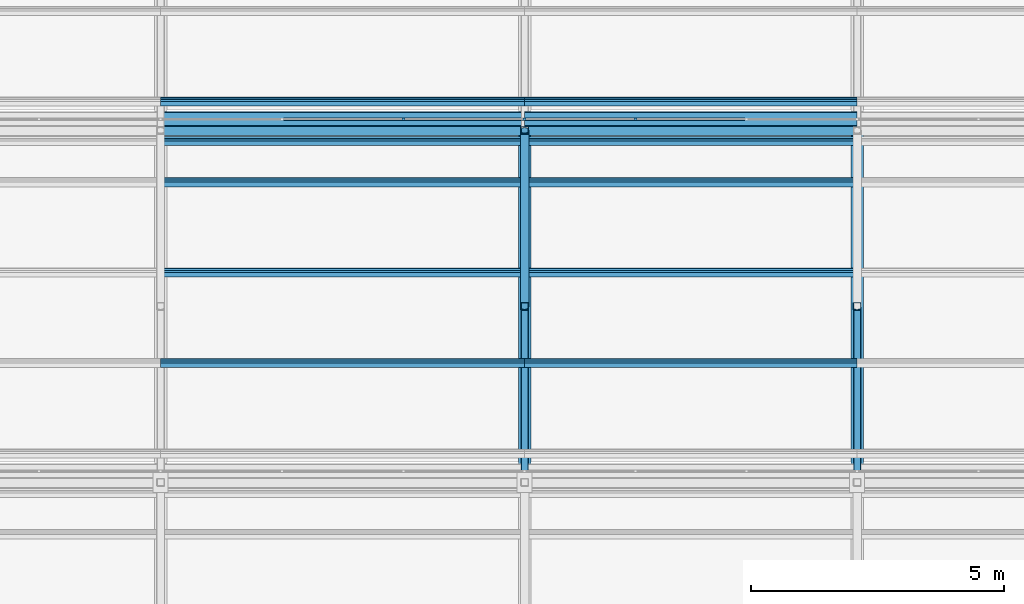
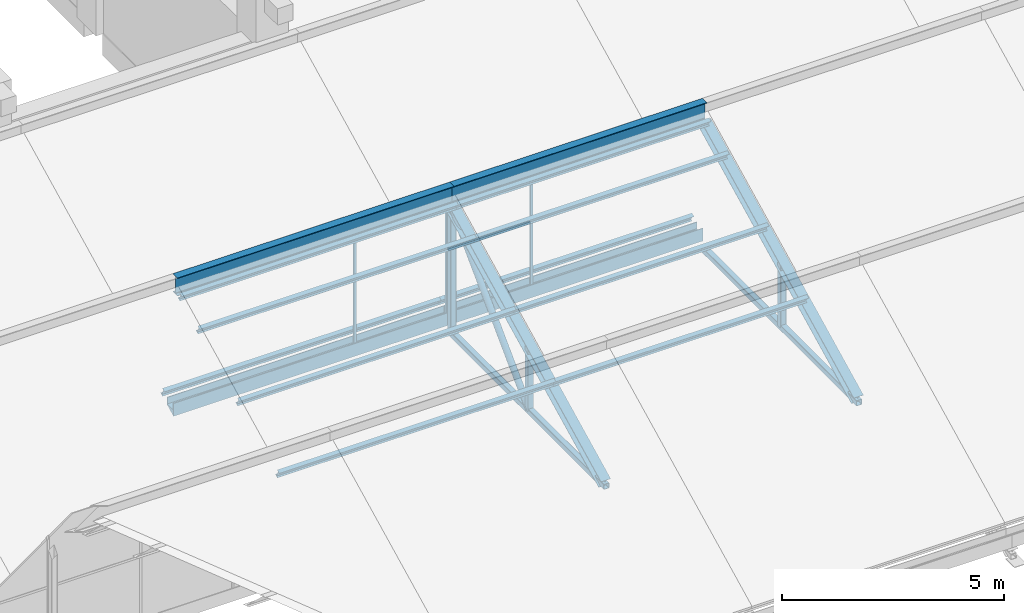
# One storey, part 13 of 83: 29 members, 2 elements without a shape of their own.
"""IFC4 building model written with IfcOpenShell, lengths in metres."""

from ifc_helpers import new_model, si_unit, direction, frame, origin, origin_2d, place, context, subcontext, project, spatial, polyline, rectangle, hollow_rectangle, hollow_circle, i_section, outline, extrude, material, material_profile, profile_set, type_object, element, aggregate, save


model = new_model("IFC4")

# Units and contexts
model_context = context("Model", 3, precision=1e-05, world=origin(), true_north=direction((0.0, 1.0)))
body_context = subcontext(model_context, "Body", "Model", "MODEL_VIEW")
ifc_project = project(units=[si_unit("LENGTHUNIT", "METRE"), si_unit("AREAUNIT", "SQUARE_METRE"), si_unit("VOLUMEUNIT", "CUBIC_METRE"), si_unit("PLANEANGLEUNIT", "RADIAN"), si_unit("MASSUNIT", "GRAM", prefix="KILO")], contexts=[model_context])

# Site, building, storey
site_placement = place(None, origin())
site = spatial("IfcSite", under=ifc_project, at=site_placement, CompositionType="ELEMENT")
building_placement = place(site_placement, origin())
building = spatial("IfcBuilding", under=site, at=building_placement, Name="Silangan Lancet Faculty of Sciences", CompositionType="ELEMENT")
storey_placement = place(building_placement, frame((0.0, 0.0, 11.39990234375)))
storey = spatial("IfcBuildingStorey", under=building, at=storey_placement, Name="L02", CompositionType="ELEMENT", Elevation=11.39990234375)

# Members
ifc_material_1 = material(Name="Steel SS400", Category="steel")
ifc_material_profile_1 = material_profile(ifc_material_1, i_section(OverallWidth=0.199951171875, OverallDepth=0.5, WebThickness=0.010009765625, FlangeThickness=0.01611328125, FilletRadius=0.02001953125, at=origin_2d()), Name="H 500x200x10x16")
ifc_profile_set_1 = profile_set([ifc_material_profile_1], Name="Steel SS400")
member_type_1 = type_object("IfcMemberType", Name="Exposed ridge beam H 500x200x10x16", PredefinedType="MEMBER", material=ifc_profile_set_1)
member_1_placement = place(storey_placement, frame((43.824951171875, 14.1533203125, 3.9326171875), z_axis=(1.0, 0.0, 0.0), x_axis=(0.0, 1.0, 0.0)))
element("IfcMember", 1, at=member_1_placement, inside=storey, type_object=member_type_1, Name="Exposed ridge beam SAB-2-3", PredefinedType="MEMBER", context=body_context, shape_type="SweptSolid", body=[
    extrude(i_section(OverallWidth=0.199951171875, OverallDepth=0.5, WebThickness=0.010009765625, FlangeThickness=0.01611328125, FilletRadius=0.02001953125, at=origin_2d()), origin(), (0.0, 0.0, 1.0), 7.199951171875),
])
member_2_placement = place(storey_placement, frame((51.02490234375, 14.1533203125, 3.9326171875), z_axis=(1.0, 0.0, 0.0), x_axis=(0.0, 1.0, 0.0)))
element("IfcMember", 2, at=member_2_placement, inside=storey, type_object=member_type_1, Name="Exposed ridge beam SAB-2-4", PredefinedType="MEMBER", context=body_context, shape_type="SweptSolid", body=[
    extrude(i_section(OverallWidth=0.199951171875, OverallDepth=0.5, WebThickness=0.010009765625, FlangeThickness=0.01611328125, FilletRadius=0.02001953125, at=origin_2d()), origin(), (0.0, 0.0, 1.0), 6.5751953125),
])

# Curtain wall, member
ifc_material_2 = material(Name="Aluminium and laminated glass", Category="aluminium")
curtain_wall_type = type_object("IfcCurtainWallType", Name="North light glazing system", PredefinedType="NOTDEFINED", material=ifc_material_2)
curtain_wall_1_placement = place(storey_placement, origin())
curtain_wall_1 = element("IfcCurtainWall", 3, at=curtain_wall_1_placement, inside=storey, type_object=curtain_wall_type, Name="North light glazing SAB-2-3", PredefinedType="NOTDEFINED")
ifc_material_3 = material(Name="Aluminium 6063-T6", Category="aluminium")
ifc_material_profile_2 = material_profile(ifc_material_3, rectangle(XDim=0.06005859375, YDim=0.050048828125, at=origin_2d()), Name="AL 60x50")
ifc_profile_set_2 = profile_set([ifc_material_profile_2], Name="Aluminium 6063-T6")
member_type_2 = type_object("IfcMemberType", Name="North light mullion 60x50", PredefinedType="MULLION", material=ifc_profile_set_2)
member_3_placement = place(storey_placement, frame((48.625, 14.37841796875, 0.4423828125), z_axis=(0.0, 0.0, 1.0), x_axis=(1.0, 0.0, 0.0)))
member_3 = element("IfcMember", 4, at=member_3_placement, type_object=member_type_2, Name="North light mullion SAB-2-3 3", PredefinedType="MULLION", context=body_context, shape_type="SweptSolid", body=[
    extrude(rectangle(XDim=0.06005859375, YDim=0.050048828125, at=origin_2d()), origin(), (0.0, 0.0, 1.0), 3.595947265625),
])

# Curtain wall, members
curtain_wall_2_placement = place(storey_placement, origin())
curtain_wall_2 = element("IfcCurtainWall", 5, at=curtain_wall_2_placement, inside=storey, type_object=curtain_wall_type, Name="North light glazing SAB-2-4", PredefinedType="NOTDEFINED")
member_4_placement = place(storey_placement, frame((51.02490234375, 14.37841796875, 0.4423828125), z_axis=(0.0, 0.0, 1.0), x_axis=(1.0, 0.0, 0.0)))
member_4 = element("IfcMember", 6, at=member_4_placement, type_object=member_type_2, Name="North light mullion SAB-2-4 1", PredefinedType="MULLION", context=body_context, shape_type="SweptSolid", body=[
    extrude(rectangle(XDim=0.06005859375, YDim=0.050048828125, at=origin_2d()), origin(), (0.0, 0.0, 1.0), 3.595947265625),
])
member_5_placement = place(storey_placement, frame((53.216796875, 14.37841796875, 0.4423828125), z_axis=(0.0, 0.0, 1.0), x_axis=(1.0, 0.0, 0.0)))
member_5 = element("IfcMember", 7, at=member_5_placement, type_object=member_type_2, Name="North light mullion SAB-2-4 2", PredefinedType="MULLION", context=body_context, shape_type="SweptSolid", body=[
    extrude(rectangle(XDim=0.06005859375, YDim=0.050048828125, at=origin_2d()), origin(), (0.0, 0.0, 1.0), 3.595947265625),
])

# Member
ifc_material_4 = material(Name="Aluminium 6063-T6", Category="aluminium")
ifc_material_profile_3 = material_profile(ifc_material_4, rectangle(XDim=0.050048828125, YDim=0.06005859375, at=origin_2d()), Name="AL 50x60")
ifc_profile_set_3 = profile_set([ifc_material_profile_3], Name="Aluminium 6063-T6")
member_type_3 = type_object("IfcMemberType", Name="North light transom 50x60", PredefinedType="USERDEFINED", material=ifc_profile_set_3)
member_6_placement = place(storey_placement, frame((46.2548828125, 14.37841796875, 2.240478515625), z_axis=(1.0, 0.0, 0.0), x_axis=(0.0, 1.0, 0.0)))
member_6 = element("IfcMember", 8, at=member_6_placement, type_object=member_type_3, Name="North light transom SAB-2-3 2", ObjectType="TRANSOM", PredefinedType="USERDEFINED", context=body_context, shape_type="SweptSolid", body=[
    extrude(rectangle(XDim=0.050048828125, YDim=0.06005859375, at=origin_2d()), origin(), (0.0, 0.0, 1.0), 2.340087890625),
])

member_7_placement = place(storey_placement, frame((48.655029296875, 14.37841796875, 2.240478515625), z_axis=(1.0, 0.0, 0.0), x_axis=(0.0, 1.0, 0.0)))
member_7 = element("IfcMember", 9, at=member_7_placement, type_object=member_type_3, Name="North light transom SAB-2-3 3", ObjectType="TRANSOM", PredefinedType="USERDEFINED", context=body_context, shape_type="SweptSolid", body=[
    extrude(rectangle(XDim=0.050048828125, YDim=0.06005859375, at=origin_2d()), origin(), (0.0, 0.0, 1.0), 2.340087890625),
])

aggregate(curtain_wall_1, [member_3, member_6, member_7])

member_8_placement = place(storey_placement, frame((51.054931640625, 14.37841796875, 2.240478515625), z_axis=(1.0, 0.0, 0.0), x_axis=(0.0, 1.0, 0.0)))
member_8 = element("IfcMember", 10, at=member_8_placement, type_object=member_type_3, Name="North light transom SAB-2-4 1", ObjectType="TRANSOM", PredefinedType="USERDEFINED", context=body_context, shape_type="SweptSolid", body=[
    extrude(rectangle(XDim=0.050048828125, YDim=0.06005859375, at=origin_2d()), origin(), (0.0, 0.0, 1.0), 2.1318359375),
])

member_9_placement = place(storey_placement, frame((53.24658203125, 14.37841796875, 2.240478515625), z_axis=(1.0, 0.0, 0.0), x_axis=(0.0, 1.0, 0.0)))
member_9 = element("IfcMember", 11, at=member_9_placement, type_object=member_type_3, Name="North light transom SAB-2-4 2", ObjectType="TRANSOM", PredefinedType="USERDEFINED", context=body_context, shape_type="SweptSolid", body=[
    extrude(rectangle(XDim=0.050048828125, YDim=0.06005859375, at=origin_2d()), origin(), (0.0, 0.0, 1.0), 2.1318359375),
])

aggregate(curtain_wall_2, [member_4, member_5, member_8, member_9])

# Members
ifc_material_5 = material(Name="Steel SS400", Category="steel")
ifc_material_profile_4 = material_profile(ifc_material_5, i_section(OverallWidth=0.10009765625, OverallDepth=0.199951171875, WebThickness=0.005615234375, FlangeThickness=0.008056640625, FilletRadius=0.008056640625, at=origin_2d()), Name="H 200x100x5.5x8")
ifc_profile_set_4 = profile_set([ifc_material_profile_4], Name="Steel SS400")
member_type_4 = type_object("IfcMemberType", Name="Sheeting purlin H 200x100x5.5x8", PredefinedType="PURLIN", material=ifc_profile_set_4)
for number, where, z_axis, x_axis, name in (
    (12, (43.824951171875, 9.55078125, 1.526123046875), (1.0, 0.0, 0.0), (0.0, 0.894427192382, 0.447213592736), "Sheeting purlin SAB-2-3 2"),
    (13, (43.824951171875, 11.339599609375, 2.420654296875), (1.0, 0.0, 0.0), (0.0, 0.894427192382, 0.447213592736), "Sheeting purlin SAB-2-3 3"),
    (14, (43.824951171875, 13.12841796875, 3.31494140625), (1.0, 0.0, 0.0), (0.0, 0.894427192382, 0.447213592736), "Sheeting purlin SAB-2-3 4"),
    (15, (43.824951171875, 13.9453125, 3.723388671875), (1.0, 0.0, 0.0), (0.0, 0.894427192382, 0.447213592736), "Sheeting purlin SAB-2-3 5"),
    (16, (43.824951171875, 14.723388671875, 0.6318359375), (1.0, 0.0, 0.0), (0.0, 0.894427192382, 0.447213592736), "Sheeting purlin SAB-3-3 1"),
):
    element("IfcMember", number, at=place(storey_placement, frame(where, z_axis=z_axis, x_axis=x_axis)), inside=storey, type_object=member_type_4, Name=name, PredefinedType="PURLIN", context=body_context, shape_type="SweptSolid", body=[
        extrude(i_section(OverallWidth=0.10009765625, OverallDepth=0.199951171875, WebThickness=0.005615234375, FlangeThickness=0.008056640625, FilletRadius=0.008056640625, at=origin_2d()), origin(), (0.0, 0.0, 1.0), 7.199951171875),
    ])
for number, where, z_axis, x_axis, name in (
    (17, (51.02490234375, 9.55078125, 1.526123046875), (1.0, 0.0, 0.0), (0.0, 0.894427192382, 0.447213592736), "Sheeting purlin SAB-2-4 2"),
    (18, (51.02490234375, 11.339599609375, 2.420654296875), (1.0, 0.0, 0.0), (0.0, 0.894427192382, 0.447213592736), "Sheeting purlin SAB-2-4 3"),
    (19, (51.02490234375, 13.12841796875, 3.31494140625), (1.0, 0.0, 0.0), (0.0, 0.894427192382, 0.447213592736), "Sheeting purlin SAB-2-4 4"),
    (20, (51.02490234375, 13.9453125, 3.723388671875), (1.0, 0.0, 0.0), (0.0, 0.894427192382, 0.447213592736), "Sheeting purlin SAB-2-4 5"),
    (21, (51.02490234375, 14.723388671875, 0.6318359375), (1.0, 0.0, 0.0), (0.0, 0.894427192382, 0.447213592736), "Sheeting purlin SAB-3-4 1"),
):
    element("IfcMember", number, at=place(storey_placement, frame(where, z_axis=z_axis, x_axis=x_axis)), inside=storey, type_object=member_type_4, Name=name, PredefinedType="PURLIN", context=body_context, shape_type="SweptSolid", body=[
        extrude(i_section(OverallWidth=0.10009765625, OverallDepth=0.199951171875, WebThickness=0.005615234375, FlangeThickness=0.008056640625, FilletRadius=0.008056640625, at=origin_2d()), origin(), (0.0, 0.0, 1.0), 6.5751953125),
    ])
ifc_material_6 = material(Name="Steel STKR400", Category="steel")
ifc_material_profile_5 = material_profile(ifc_material_6, hollow_rectangle(XDim=0.14990234375, YDim=0.14990234375, WallThickness=0.009033203125, InnerFilletRadius=0.009033203125, OuterFilletRadius=0.01806640625, at=origin_2d()), Name="SHS 150x150x9.0")
ifc_profile_set_5 = profile_set([ifc_material_profile_5], Name="Steel STKR400")
member_type_5 = type_object("IfcMemberType", Name="Truss bottom chord SHS 150x150x9.0", PredefinedType="CHORD", material=ifc_profile_set_5)
for number, where, z_axis, x_axis, name in (
    (22, (51.02490234375, 7.191650390625, 0.09521484375), (0.0, 1.0, 0.0), (-1.0, 0.0, 0.0), "Truss 4 bottom chord 2"),
    (23, (57.60009765625, 7.191650390625, 0.09521484375), (0.0, 1.0, 0.0), (-1.0, 0.0, 0.0), "Truss 5 bottom chord 2"),
):
    element("IfcMember", number, at=place(storey_placement, frame(where, z_axis=z_axis, x_axis=x_axis)), inside=storey, type_object=member_type_5, Name=name, PredefinedType="CHORD", context=body_context, shape_type="SweptSolid", body=[
        extrude(hollow_rectangle(XDim=0.14990234375, YDim=0.14990234375, WallThickness=0.009033203125, InnerFilletRadius=0.009033203125, OuterFilletRadius=0.01806640625, at=origin_2d()), origin(), (0.0, 0.0, 1.0), 6.961669921875),
    ])
ifc_material_7 = material(Name="Steel STK400", Category="steel")
ifc_material_profile_6 = material_profile(ifc_material_7, hollow_circle(Radius=0.08251953125, WallThickness=0.0048828125, at=origin_2d()), Name="CHS 165.2x5.0")
ifc_profile_set_6 = profile_set([ifc_material_profile_6], Name="Steel STK400")
member_type_6 = type_object("IfcMemberType", Name="Truss diagonal CHS 165.2x5.0", PredefinedType="BRACE", material=ifc_profile_set_6)
member_10_placement = place(storey_placement, frame((51.02490234375, 10.672607421875, 0.09521484375), z_axis=(0.0, 0.707106781187, 0.707106781187), x_axis=(-1.0, 0.0, 0.0)))
element("IfcMember", 24, at=member_10_placement, inside=storey, type_object=member_type_6, Name="Truss 4 diagonal 2", PredefinedType="BRACE", context=body_context, shape_type="SweptSolid", body=[
    extrude(hollow_circle(Radius=0.08251953125, WallThickness=0.0048828125, at=origin_2d()), origin(), (0.0, 0.0, 1.0), 4.92236328125),
])
ifc_material_8 = material(Name="Steel STKR400", Category="steel")
ifc_material_profile_7 = material_profile(ifc_material_8, hollow_rectangle(XDim=0.14990234375, YDim=0.14990234375, WallThickness=0.006103515625, InnerFilletRadius=0.006103515625, OuterFilletRadius=0.011962890625, at=origin_2d()), Name="SHS 150x150x6.0")
ifc_profile_set_7 = profile_set([ifc_material_profile_7], Name="Steel STKR400")
member_type_7 = type_object("IfcMemberType", Name="Truss post SHS 150x150x6.0", PredefinedType="POST", material=ifc_profile_set_7)
member_11_placement = place(storey_placement, frame((51.02490234375, 14.1533203125, 0.09521484375), z_axis=(0.0, 0.0, 1.0), x_axis=(1.0, 0.0, 0.0)))
element("IfcMember", 25, at=member_11_placement, inside=storey, type_object=member_type_7, Name="Truss 4 riser post 2", PredefinedType="POST", context=body_context, shape_type="SweptSolid", body=[
    extrude(hollow_rectangle(XDim=0.14990234375, YDim=0.14990234375, WallThickness=0.006103515625, InnerFilletRadius=0.006103515625, OuterFilletRadius=0.011962890625, at=origin_2d()), origin(), (0.0, 0.0, 1.0), 3.480712890625),
])
for number, where, z_axis, x_axis, name in (
    (26, (51.02490234375, 10.672607421875, 0.09521484375), (0.0, 0.0, 1.0), (1.0, 0.0, 0.0), "Truss 4 mid post 2"),
    (27, (57.60009765625, 10.672607421875, 0.09521484375), (0.0, 0.0, 1.0), (1.0, 0.0, 0.0), "Truss 5 mid post 2"),
):
    element("IfcMember", number, at=place(storey_placement, frame(where, z_axis=z_axis, x_axis=x_axis)), inside=storey, type_object=member_type_7, Name=name, PredefinedType="POST", context=body_context, shape_type="SweptSolid", body=[
        extrude(hollow_rectangle(XDim=0.14990234375, YDim=0.14990234375, WallThickness=0.006103515625, InnerFilletRadius=0.006103515625, OuterFilletRadius=0.011962890625, at=origin_2d()), origin(), (0.0, 0.0, 1.0), 1.740234375),
    ])
ifc_material_9 = material(Name="Steel SS400", Category="steel")
ifc_material_profile_8 = material_profile(ifc_material_9, i_section(OverallWidth=0.25, OverallDepth=0.25, WebThickness=0.009033203125, FlangeThickness=0.013916015625, FilletRadius=0.01611328125, at=origin_2d()), Name="H 250x250x9x14")
ifc_profile_set_8 = profile_set([ifc_material_profile_8], Name="Steel SS400")
member_type_8 = type_object("IfcMemberType", Name="Truss top chord H 250x250x9x14", PredefinedType="CHORD", material=ifc_profile_set_8)
for number, where, z_axis, x_axis, name in (
    (28, (51.02490234375, 7.272216796875, 0.13525390625), (0.0, 0.894420844124, 0.447226289027), (-1.0, 0.0, 0.0), "Truss 4 top chord 2"),
    (29, (57.60009765625, 7.272216796875, 0.13525390625), (0.0, 0.894420844124, 0.447226289027), (-1.0, 0.0, 0.0), "Truss 5 top chord 2"),
):
    element("IfcMember", number, at=place(storey_placement, frame(where, z_axis=z_axis, x_axis=x_axis)), inside=storey, type_object=member_type_8, Name=name, PredefinedType="CHORD", context=body_context, shape_type="SweptSolid", body=[
        extrude(i_section(OverallWidth=0.25, OverallDepth=0.25, WebThickness=0.009033203125, FlangeThickness=0.013916015625, FilletRadius=0.01611328125, at=origin_2d()), origin(), (0.0, 0.0, 1.0), 7.693359375),
    ])
ifc_material_10 = material(Name="Stainless steel", Category="steel")
ifc_material_profile_9 = material_profile(ifc_material_10, outline(polyline([(-0.14990234375, 0.0), (0.14990234375, 0.14990234375), (0.14990234375, 0.35009765625), (0.1298828125, 0.35009765625), (0.1298828125, 0.169921875), (-0.1298828125, 0.169921875), (-0.1298828125, 0.35009765625), (-0.14990234375, 0.35009765625), (-0.14990234375, 0.0)])), Name="valley gutter")
ifc_profile_set_9 = profile_set([ifc_material_profile_9], Name="Stainless steel")
member_type_9 = type_object("IfcMemberType", Name="Valley gutter 300 wide", PredefinedType="USERDEFINED", material=ifc_profile_set_9)
member_12_placement = place(storey_placement, frame((43.824951171875, 14.37841796875, 0.2724609375), z_axis=(1.0, 0.0, 0.0), x_axis=(0.0, 1.0, 0.0)))
element("IfcMember", 30, at=member_12_placement, inside=storey, type_object=member_type_9, Name="Valley gutter SAB-3-3", ObjectType="GUTTER", PredefinedType="USERDEFINED", context=body_context, shape_type="SweptSolid", body=[
    extrude(outline(polyline([(-0.14990234375, 0.0), (0.14990234375, 0.14990234375), (0.14990234375, 0.35009765625), (0.1298828125, 0.35009765625), (0.1298828125, 0.169921875), (-0.1298828125, 0.169921875), (-0.1298828125, 0.35009765625), (-0.14990234375, 0.35009765625), (-0.14990234375, 0.0)])), origin(), (0.0, 0.0, 1.0), 7.199951171875),
])
member_13_placement = place(storey_placement, frame((51.02490234375, 14.37841796875, 0.2724609375), z_axis=(1.0, 0.0, 0.0), x_axis=(0.0, 1.0, 0.0)))
element("IfcMember", 31, at=member_13_placement, inside=storey, type_object=member_type_9, Name="Valley gutter SAB-3-4", ObjectType="GUTTER", PredefinedType="USERDEFINED", context=body_context, shape_type="SweptSolid", body=[
    extrude(outline(polyline([(-0.14990234375, 0.0), (0.14990234375, 0.14990234375), (0.14990234375, 0.35009765625), (0.1298828125, 0.35009765625), (0.1298828125, 0.169921875), (-0.1298828125, 0.169921875), (-0.1298828125, 0.35009765625), (-0.14990234375, 0.35009765625), (-0.14990234375, 0.0)])), origin(), (0.0, 0.0, 1.0), 6.5751953125),
])

save(model, "model.ifc")
